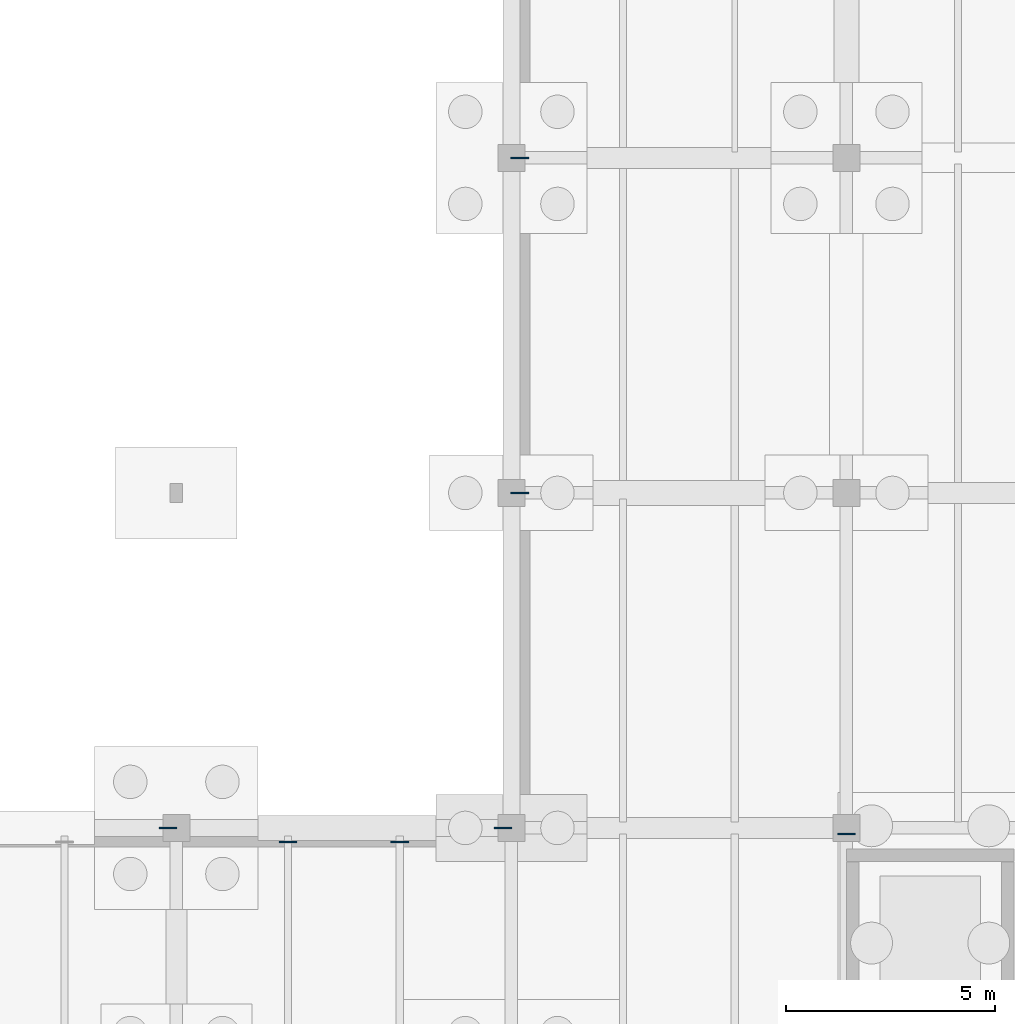
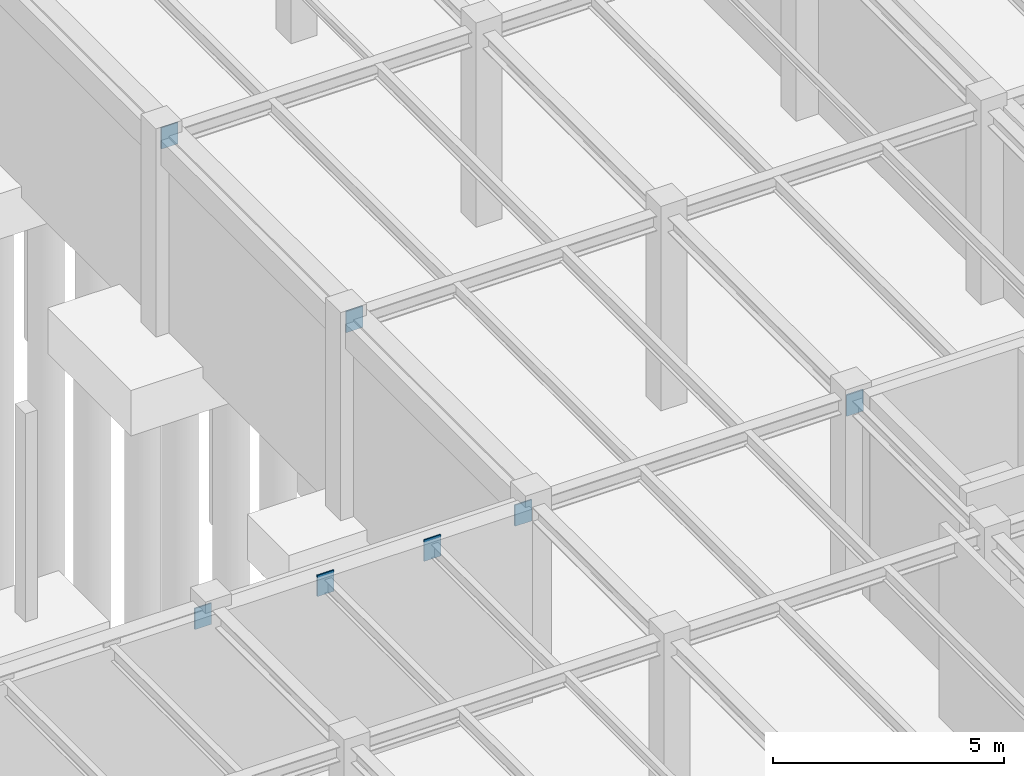
# One storey, part 47 of 71: 7 plates.
"""IFC4 building model written with IfcOpenShell, lengths in metres."""

from ifc_helpers import new_model, si_unit, direction, frame, origin, origin_2d, place, context, subcontext, project, spatial, rectangle, extrude, material, layer, layer_set, type_object, element, save


model = new_model("IFC4")

# Units and contexts
model_context = context("Model", 3, precision=1e-05, world=origin(), true_north=direction((0.0, 1.0)))
body_context = subcontext(model_context, "Body", "Model", "MODEL_VIEW")
ifc_project = project(units=[si_unit("LENGTHUNIT", "METRE"), si_unit("AREAUNIT", "SQUARE_METRE"), si_unit("VOLUMEUNIT", "CUBIC_METRE"), si_unit("PLANEANGLEUNIT", "RADIAN"), si_unit("MASSUNIT", "GRAM", prefix="KILO")], contexts=[model_context])

# Site, building, storey
site_placement = place(None, origin())
site = spatial("IfcSite", under=ifc_project, at=site_placement, CompositionType="ELEMENT")
building_placement = place(site_placement, origin())
building = spatial("IfcBuilding", under=site, at=building_placement, Name="Sundkrona Museum", CompositionType="ELEMENT")
storey_placement = place(building_placement, frame((0.0, 0.0, -5.39990234375)))
storey = spatial("IfcBuildingStorey", under=building, at=storey_placement, Name="B1", CompositionType="ELEMENT", Elevation=-5.39990234375)

# Plates
ifc_material = material(Name="Steel S355J2", Category="steel")
ifc_layer = layer(ifc_material, 0.034912109375)
ifc_layer_set = layer_set([ifc_layer], Name="Steel S355J2")
plate_type = type_object("IfcPlateType", Name="EP-1", PredefinedType="USERDEFINED", material=ifc_layer_set)
for number, where, z_axis, x_axis, name in (
    (1, (127.800048828125, 46.0, 4.514892578125), (0.0, 0.0, 1.0), (1.0, 0.0, 0.0), "Structural Wall Cast-In Embed Plate BM-B1-X-0065-2"),
    (2, (135.800048828125, 46.0, 4.44482421875), (0.0, 0.0, 1.0), (1.0, 0.0, 0.0), "Structural Wall Cast-In Embed Plate BM-B1-X-0066-2"),
    (3, (136.199951171875, 54.0, 4.56982421875), (0.0, 0.0, 1.0), (1.0, 0.0, 0.0), "Structural Wall Cast-In Embed Plate BM-B1-X-0076-1"),
    (4, (136.199951171875, 62.0, 4.56982421875), (0.0, 0.0, 1.0), (1.0, 0.0, 0.0), "Structural Wall Cast-In Embed Plate BM-B1-X-0085-1"),
    (5, (144.0, 45.85009765625, 4.56982421875), (0.0, 0.0, 1.0), (1.0, 0.0, 0.0), "Structural Wall Cast-In Embed Plate BM-B1-Y-0371-2"),
    (6, (130.666748046875, 45.6611328125, 4.58984375), (0.0, 0.0, 1.0), (1.0, 0.0, 0.0), "Structural Wall Cast-In Embed Plate JS-B1-0196-2"),
    (7, (133.333251953125, 45.6611328125, 4.58984375), (0.0, 0.0, 1.0), (1.0, 0.0, 0.0), "Structural Wall Cast-In Embed Plate JS-B1-0197-2"),
):
    element("IfcPlate", number, at=place(storey_placement, frame(where, z_axis=z_axis, x_axis=x_axis)), inside=storey, type_object=plate_type, Name=name, ObjectType="GUSSET PLATE", PredefinedType="USERDEFINED", context=body_context, shape_type="SweptSolid", body=[
        extrude(rectangle(XDim=0.419921875, YDim=0.034912109375, at=origin_2d()), origin(), (0.0, 0.0, 1.0), 0.56005859375),
    ])

save(model, "model.ifc")
